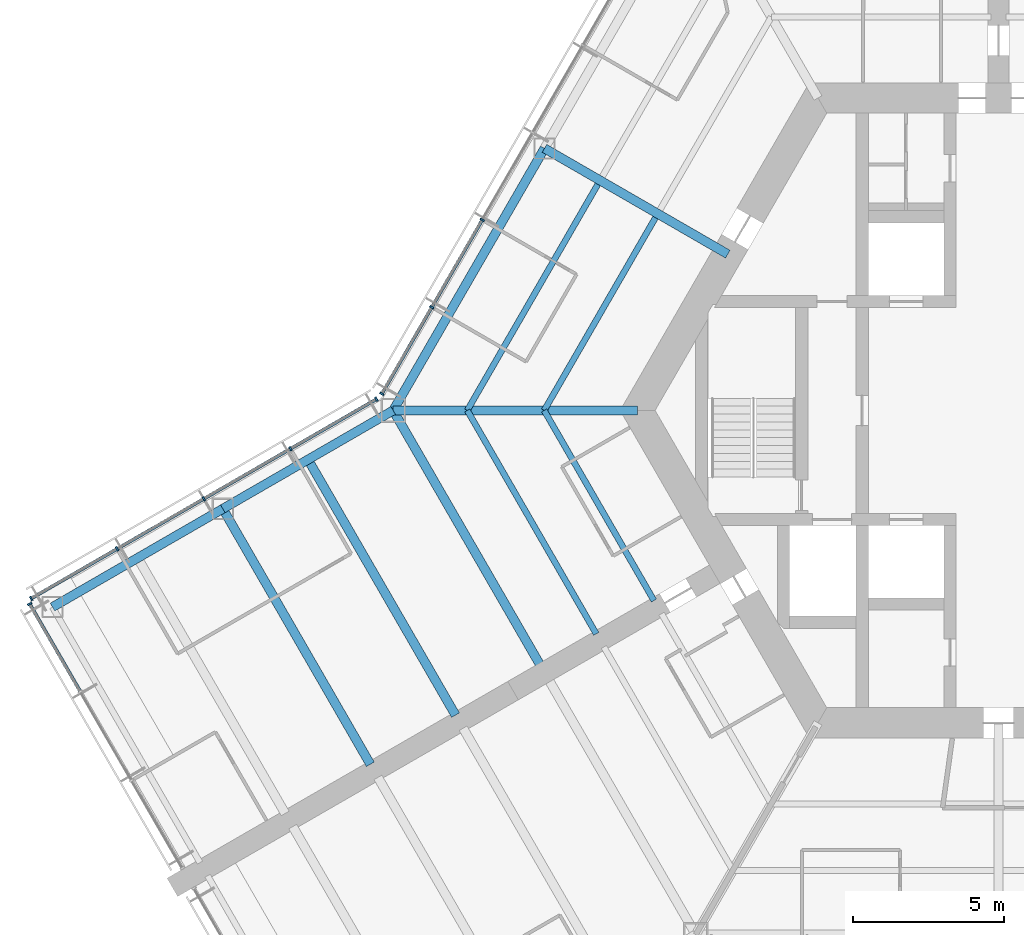
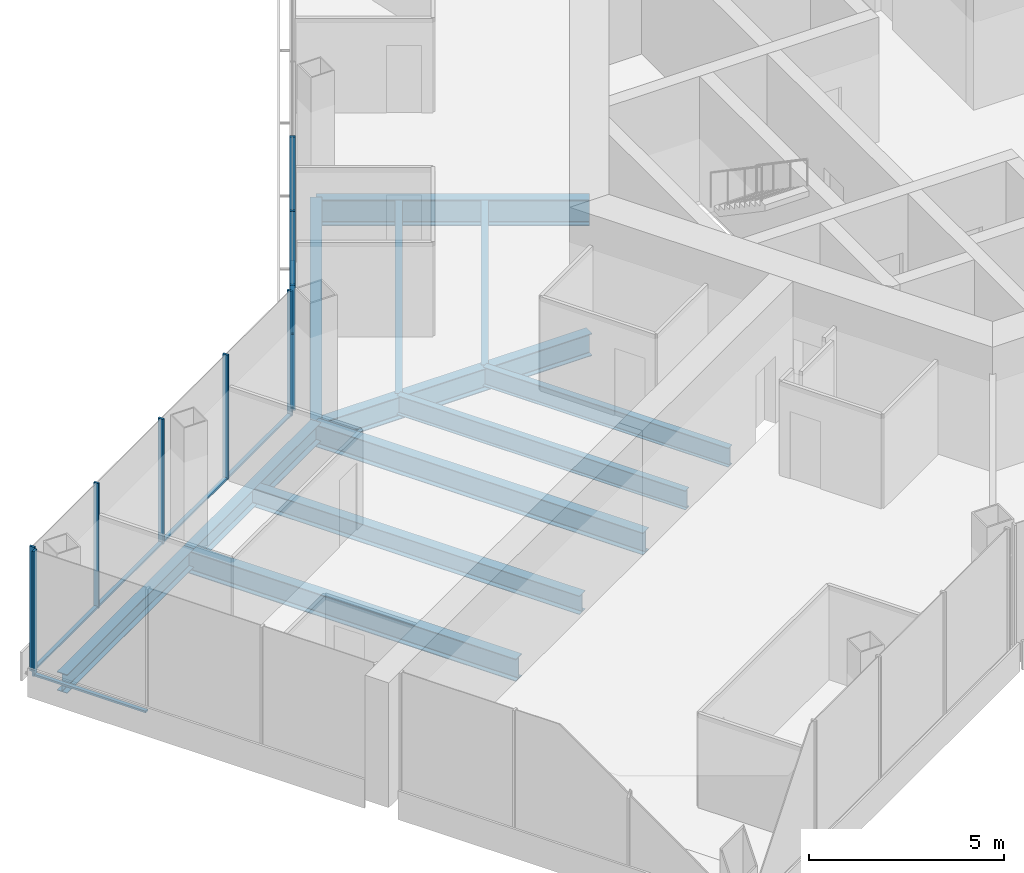
# One storey, part 4 of 18: 16 members, 12 beams, 3 elements without a shape of their own.
"""IFC4 building model written with IfcOpenShell, lengths in metres."""

from ifc_helpers import new_model, si_unit, direction, frame, origin, origin_2d, place, context, subcontext, project, spatial, rectangle, i_section, extrude, material, material_profile, profile_set, type_object, element, aggregate, save


model = new_model("IFC4")

# Units and contexts
model_context = context("Model", 3, precision=1e-05, world=origin(), true_north=direction((0.0, 1.0)))
body_context = subcontext(model_context, "Body", "Model", "MODEL_VIEW")
ifc_project = project(units=[si_unit("LENGTHUNIT", "METRE"), si_unit("AREAUNIT", "SQUARE_METRE"), si_unit("VOLUMEUNIT", "CUBIC_METRE"), si_unit("PLANEANGLEUNIT", "RADIAN"), si_unit("MASSUNIT", "GRAM", prefix="KILO")], contexts=[model_context])

# Site, building, storey
site_placement = place(None, origin())
site = spatial("IfcSite", under=ifc_project, at=site_placement, CompositionType="ELEMENT")
building_placement = place(site_placement, origin())
building = spatial("IfcBuilding", under=site, at=building_placement, Name="Kasaneha Research Tower", CompositionType="ELEMENT")
storey_placement = place(building_placement, frame((0.0, 0.0, 168.199951171875)))
storey = spatial("IfcBuildingStorey", under=building, at=storey_placement, Name="L42", CompositionType="ELEMENT", Elevation=168.199951171875)

# Beams
ifc_material_1 = material(Name="Steel SN490B", Category="steel")
ifc_material_profile_1 = material_profile(ifc_material_1, i_section(OverallWidth=0.199951171875, OverallDepth=0.60009765625, WebThickness=0.010986328125, FlangeThickness=0.01708984375, FilletRadius=0.012939453125, at=origin_2d()), Name="H-600x200x11x17")
ifc_profile_set_1 = profile_set([ifc_material_profile_1], Name="Steel SN490B")
beam_type_1 = type_object("IfcBeamType", Name="B1-3 secondary beam H-600x200x11x17", PredefinedType="JOIST", material=ifc_profile_set_1)
beam_1_placement = place(storey_placement, frame((-15.010986328125, 0.0, -0.449951171875), z_axis=(0.499994443168, 0.866028611999, 0.0), x_axis=(-0.866028611999, 0.499994443168, 0.0)))
element("IfcBeam", 1, at=beam_1_placement, inside=storey, type_object=beam_type_1, Name="Secondary beam RS150R1 L42", PredefinedType="JOIST", context=body_context, shape_type="SweptSolid", body=[
    extrude(i_section(OverallWidth=0.199951171875, OverallDepth=0.60009765625, WebThickness=0.010986328125, FlangeThickness=0.01708984375, FilletRadius=0.012939453125, at=origin_2d()), origin(), (0.0, 0.0, 1.0), 7.35546875),
])
beam_2_placement = place(storey_placement, frame((-17.551513671875, 0.0, -0.449951171875), z_axis=(0.5000050195, 0.866022505755, 0.0), x_axis=(-0.866022505755, 0.5000050195, 0.0)))
element("IfcBeam", 2, at=beam_2_placement, inside=storey, type_object=beam_type_1, Name="Secondary beam RS150R2 L42", PredefinedType="JOIST", context=body_context, shape_type="SweptSolid", body=[
    extrude(i_section(OverallWidth=0.199951171875, OverallDepth=0.60009765625, WebThickness=0.010986328125, FlangeThickness=0.01708984375, FilletRadius=0.012939453125, at=origin_2d()), origin(), (0.0, 0.0, 1.0), 8.6259765625),
])
beam_3_placement = place(storey_placement, frame((-15.010986328125, 0.0, -0.449951171875), z_axis=(0.499993340521, -0.866029248602, 0.0), x_axis=(0.866029248602, 0.499993340521, 0.0)))
element("IfcBeam", 3, at=beam_3_placement, inside=storey, type_object=beam_type_1, Name="Secondary beam RS210L1 L42", PredefinedType="JOIST", context=body_context, shape_type="SweptSolid", body=[
    extrude(i_section(OverallWidth=0.199951171875, OverallDepth=0.60009765625, WebThickness=0.010986328125, FlangeThickness=0.01708984375, FilletRadius=0.012939453125, at=origin_2d()), origin(), (0.0, 0.0, 1.0), 7.25537109375),
])
beam_4_placement = place(storey_placement, frame((-17.551513671875, 0.0, -0.449951171875), z_axis=(0.500004205306, -0.866022975836, 0.0), x_axis=(0.866022975836, 0.500004205306, 0.0)))
element("IfcBeam", 4, at=beam_4_placement, inside=storey, type_object=beam_type_1, Name="Secondary beam RS210L2 L42", PredefinedType="JOIST", context=body_context, shape_type="SweptSolid", body=[
    extrude(i_section(OverallWidth=0.199951171875, OverallDepth=0.60009765625, WebThickness=0.010986328125, FlangeThickness=0.01708984375, FilletRadius=0.012939453125, at=origin_2d()), origin(), (0.0, 0.0, 1.0), 8.52587890625),
])
ifc_material_2 = material(Name="Steel SN490B", Category="steel")
ifc_material_profile_2 = material_profile(ifc_material_2, i_section(OverallWidth=0.300048828125, OverallDepth=0.58203125, WebThickness=0.011962890625, FlangeThickness=0.01708984375, FilletRadius=0.012939453125, at=origin_2d()), Name="H-582x300x12x17")
ifc_profile_set_2 = profile_set([ifc_material_profile_2], Name="Steel SN490B")
beam_type_2 = type_object("IfcBeamType", Name="B2-3 secondary beam H-582x300x12x17", PredefinedType="JOIST", material=ifc_profile_set_2)
beam_5_placement = place(storey_placement, frame((-22.814697265625, -1.625, -0.44091796875), z_axis=(0.499995560238, -0.866027967067, 0.0), x_axis=(0.866027967067, 0.499995560238, 0.0)))
element("IfcBeam", 5, at=beam_5_placement, inside=storey, type_object=beam_type_2, Name="Secondary beam WBBP1 L42", PredefinedType="JOIST", context=body_context, shape_type="SweptSolid", body=[
    extrude(i_section(OverallWidth=0.300048828125, OverallDepth=0.58203125, WebThickness=0.011962890625, FlangeThickness=0.01708984375, FilletRadius=0.012939453125, at=origin_2d()), origin(), (0.0, 0.0, 1.0), 9.75),
])

# Curtain wall, members
ifc_material_3 = material(Name="Glass and aluminium", Category="aluminium")
curtain_wall_type = type_object("IfcCurtainWallType", Name="Mid-rise office curtain wall", PredefinedType="USERDEFINED", material=ifc_material_3)
curtain_wall_1_placement = place(storey_placement, origin())
curtain_wall_1 = element("IfcCurtainWall", 6, at=curtain_wall_1_placement, inside=storey, type_object=curtain_wall_type, Name="CW-O2 L42 run 08a", ObjectType="UNITISED CURTAIN WALL", PredefinedType="USERDEFINED")
ifc_material_4 = material(Name="Aluminium 6063-T6", Category="aluminium")
ifc_material_profile_3 = material_profile(ifc_material_4, rectangle(XDim=0.06005859375, YDim=0.14990234375, at=origin_2d()), Name="CW-O2 mullion 60x150")
ifc_profile_set_3 = profile_set([ifc_material_profile_3], Name="Aluminium 6063-T6")
member_type_1 = type_object("IfcMemberType", Name="CW-O2 mullion", PredefinedType="MULLION", material=ifc_profile_set_3)
member_1_placement = place(storey_placement, frame((-17.058349609375, 6.295166015625, 0.0), z_axis=(0.0, 0.0, 1.0), x_axis=(-0.499999979232, -0.866025415775, 0.0)))
member_1 = element("IfcMember", 7, at=member_1_placement, type_object=member_type_1, Name="CW-O2 mullion 5", PredefinedType="MULLION", context=body_context, shape_type="SweptSolid", body=[
    extrude(rectangle(XDim=0.06005859375, YDim=0.14990234375, at=origin_2d()), origin(), (0.0, 0.0, 1.0), 3.900146484375),
])
member_2_placement = place(storey_placement, frame((-18.723876953125, 3.410400390625, 0.0), z_axis=(0.0, 0.0, 1.0), x_axis=(-0.499999979232, -0.866025415775, 0.0)))
member_2 = element("IfcMember", 8, at=member_2_placement, type_object=member_type_1, Name="CW-O2 mullion 6", PredefinedType="MULLION", context=body_context, shape_type="SweptSolid", body=[
    extrude(rectangle(XDim=0.06005859375, YDim=0.14990234375, at=origin_2d()), origin(), (0.0, 0.0, 1.0), 3.900146484375),
])
member_3_placement = place(storey_placement, frame((-20.374267578125, 0.5517578125, 0.0), z_axis=(0.0, 0.0, 1.0), x_axis=(-0.499999979232, -0.866025415775, 0.0)))
member_3 = element("IfcMember", 9, at=member_3_placement, type_object=member_type_1, Name="CW-O2 mullion 7", PredefinedType="MULLION", context=body_context, shape_type="SweptSolid", body=[
    extrude(rectangle(XDim=0.06005859375, YDim=0.14990234375, at=origin_2d()), origin(), (0.0, 0.0, 1.0), 3.900146484375),
])

curtain_wall_2_placement = place(storey_placement, origin())
curtain_wall_2 = element("IfcCurtainWall", 10, at=curtain_wall_2_placement, inside=storey, type_object=curtain_wall_type, Name="CW-O2 L42 run 09a", ObjectType="UNITISED CURTAIN WALL", PredefinedType="USERDEFINED")
member_4_placement = place(storey_placement, frame((-20.5517578125, 0.374267578125, 0.0), z_axis=(0.0, 0.0, 1.0), x_axis=(-0.866025411464, -0.499999986699, 0.0)))
member_4 = element("IfcMember", 11, at=member_4_placement, type_object=member_type_1, Name="CW-O2 mullion 1", PredefinedType="MULLION", context=body_context, shape_type="SweptSolid", body=[
    extrude(rectangle(XDim=0.06005859375, YDim=0.14990234375, at=origin_2d()), origin(), (0.0, 0.0, 1.0), 3.900146484375),
])
member_5_placement = place(storey_placement, frame((-23.39208984375, -1.265625, 0.0), z_axis=(0.0, 0.0, 1.0), x_axis=(-0.866025411464, -0.499999986699, 0.0)))
member_5 = element("IfcMember", 12, at=member_5_placement, type_object=member_type_1, Name="CW-O2 mullion 2", PredefinedType="MULLION", context=body_context, shape_type="SweptSolid", body=[
    extrude(rectangle(XDim=0.06005859375, YDim=0.14990234375, at=origin_2d()), origin(), (0.0, 0.0, 1.0), 3.900146484375),
])
member_6_placement = place(storey_placement, frame((-26.258544921875, -2.920654296875, 0.0), z_axis=(0.0, 0.0, 1.0), x_axis=(-0.866025411464, -0.499999986699, 0.0)))
member_6 = element("IfcMember", 13, at=member_6_placement, type_object=member_type_1, Name="CW-O2 mullion 3", PredefinedType="MULLION", context=body_context, shape_type="SweptSolid", body=[
    extrude(rectangle(XDim=0.06005859375, YDim=0.14990234375, at=origin_2d()), origin(), (0.0, 0.0, 1.0), 3.900146484375),
])
member_7_placement = place(storey_placement, frame((-29.125, -4.575439453125, 0.0), z_axis=(0.0, 0.0, 1.0), x_axis=(-0.866025411464, -0.499999986699, 0.0)))
member_7 = element("IfcMember", 14, at=member_7_placement, type_object=member_type_1, Name="CW-O2 mullion 4", PredefinedType="MULLION", context=body_context, shape_type="SweptSolid", body=[
    extrude(rectangle(XDim=0.06005859375, YDim=0.14990234375, at=origin_2d()), origin(), (0.0, 0.0, 1.0), 3.900146484375),
])
member_8_placement = place(storey_placement, frame((-31.96533203125, -6.21533203125, 0.0), z_axis=(0.0, 0.0, 1.0), x_axis=(-0.866025411464, -0.499999986699, 0.0)))
member_8 = element("IfcMember", 15, at=member_8_placement, type_object=member_type_1, Name="CW-O2 mullion 5", PredefinedType="MULLION", context=body_context, shape_type="SweptSolid", body=[
    extrude(rectangle(XDim=0.06005859375, YDim=0.14990234375, at=origin_2d()), origin(), (0.0, 0.0, 1.0), 3.900146484375),
])

# Curtain wall, member
curtain_wall_3_placement = place(storey_placement, origin())
curtain_wall_3 = element("IfcCurtainWall", 16, at=curtain_wall_3_placement, inside=storey, type_object=curtain_wall_type, Name="CW-O2 L42 run 10a", ObjectType="UNITISED CURTAIN WALL", PredefinedType="USERDEFINED")
member_9_placement = place(storey_placement, frame((-32.012939453125, -6.39306640625, 0.0), z_axis=(0.0, 0.0, 1.0), x_axis=(0.500000011442, -0.866025397178, 0.0)))
member_9 = element("IfcMember", 17, at=member_9_placement, type_object=member_type_1, Name="CW-O2 mullion 1", PredefinedType="MULLION", context=body_context, shape_type="SweptSolid", body=[
    extrude(rectangle(XDim=0.06005859375, YDim=0.14990234375, at=origin_2d()), origin(), (0.0, 0.0, 1.0), 3.900146484375),
])

# Member
ifc_material_5 = material(Name="Aluminium 6063-T6", Category="aluminium")
ifc_material_profile_4 = material_profile(ifc_material_5, rectangle(XDim=0.110107421875, YDim=0.06005859375, at=origin_2d()), Name="CW-O2 transom 110x60")
ifc_profile_set_4 = profile_set([ifc_material_profile_4], Name="Aluminium 6063-T6")
member_type_2 = type_object("IfcMemberType", Name="CW-O2 transom", PredefinedType="USERDEFINED", material=ifc_profile_set_4)
member_10_placement = place(storey_placement, frame((-17.0732421875, 6.269287109375, 0.030029296875), z_axis=(-0.500000270186, -0.866025247793, 0.0), x_axis=(0.866025247793, -0.500000270186, 0.0)))
member_10 = element("IfcMember", 18, at=member_10_placement, type_object=member_type_2, Name="CW-O2 transom 5", ObjectType="TRANSOM", PredefinedType="USERDEFINED", context=body_context, shape_type="SweptSolid", body=[
    extrude(rectangle(XDim=0.110107421875, YDim=0.06005859375, at=origin_2d()), origin(), (0.0, 0.0, 1.0), 3.27099609375),
])

member_11_placement = place(storey_placement, frame((-18.73876953125, 3.384521484375, 0.030029296875), z_axis=(-0.499987643696, -0.866032537582, 0.0), x_axis=(0.866032537582, -0.499987643696, 0.0)))
member_11 = element("IfcMember", 19, at=member_11_placement, type_object=member_type_2, Name="CW-O2 transom 6", ObjectType="TRANSOM", PredefinedType="USERDEFINED", context=body_context, shape_type="SweptSolid", body=[
    extrude(rectangle(XDim=0.110107421875, YDim=0.06005859375, at=origin_2d()), origin(), (0.0, 0.0, 1.0), 3.24072265625),
])

aggregate(curtain_wall_1, [member_1, member_2, member_3, member_10, member_11])

member_12_placement = place(storey_placement, frame((-20.577880859375, 0.359130859375, 0.030029296875), z_axis=(-0.866022692473, -0.500004696101, 0.0), x_axis=(0.500004696101, -0.866022692473, 0.0)))
member_12 = element("IfcMember", 20, at=member_12_placement, type_object=member_type_2, Name="CW-O2 transom 1", ObjectType="TRANSOM", PredefinedType="USERDEFINED", context=body_context, shape_type="SweptSolid", body=[
    extrude(rectangle(XDim=0.110107421875, YDim=0.06005859375, at=origin_2d()), origin(), (0.0, 0.0, 1.0), 3.2197265625),
])

member_13_placement = place(storey_placement, frame((-23.418212890625, -1.28076171875, 0.030029296875), z_axis=(-0.86604797581, -0.499960902066, 0.0), x_axis=(0.499960902066, -0.86604797581, 0.0)))
member_13 = element("IfcMember", 21, at=member_13_placement, type_object=member_type_2, Name="CW-O2 transom 2", ObjectType="TRANSOM", PredefinedType="USERDEFINED", context=body_context, shape_type="SweptSolid", body=[
    extrude(rectangle(XDim=0.110107421875, YDim=0.06005859375, at=origin_2d()), origin(), (0.0, 0.0, 1.0), 3.249755859375),
])

member_14_placement = place(storey_placement, frame((-26.28466796875, -2.935546875, 0.030029296875), z_axis=(-0.86599666273, -0.500049777664, 0.0), x_axis=(0.500049777664, -0.86599666273, 0.0)))
member_14 = element("IfcMember", 22, at=member_14_placement, type_object=member_type_2, Name="CW-O2 transom 3", ObjectType="TRANSOM", PredefinedType="USERDEFINED", context=body_context, shape_type="SweptSolid", body=[
    extrude(rectangle(XDim=0.110107421875, YDim=0.06005859375, at=origin_2d()), origin(), (0.0, 0.0, 1.0), 3.249755859375),
])

member_15_placement = place(storey_placement, frame((-29.15087890625, -4.590576171875, 0.030029296875), z_axis=(-0.866041647767, -0.499971863542, 0.0), x_axis=(0.499971863542, -0.866041647767, 0.0)))
member_15 = element("IfcMember", 23, at=member_15_placement, type_object=member_type_2, Name="CW-O2 transom 4", ObjectType="TRANSOM", PredefinedType="USERDEFINED", context=body_context, shape_type="SweptSolid", body=[
    extrude(rectangle(XDim=0.110107421875, YDim=0.06005859375, at=origin_2d()), origin(), (0.0, 0.0, 1.0), 3.219970703125),
])

aggregate(curtain_wall_2, [member_4, member_5, member_6, member_7, member_8, member_12, member_13, member_14, member_15])

member_16_placement = place(storey_placement, frame((-31.998046875, -6.4189453125, 0.030029296875), z_axis=(0.500021914551, -0.866012751043, 0.0), x_axis=(0.866012751043, 0.500021914551, 0.0)))
member_16 = element("IfcMember", 24, at=member_16_placement, type_object=member_type_2, Name="CW-O2 transom 1", ObjectType="TRANSOM", PredefinedType="USERDEFINED", context=body_context, shape_type="SweptSolid", body=[
    extrude(rectangle(XDim=0.110107421875, YDim=0.06005859375, at=origin_2d()), origin(), (0.0, 0.0, 1.0), 3.293212890625),
])

aggregate(curtain_wall_3, [member_9, member_16])

# Beams
ifc_material_6 = material(Name="Steel SN490B", Category="steel")
ifc_material_profile_5 = material_profile(ifc_material_6, i_section(OverallWidth=0.300048828125, OverallDepth=0.699951171875, WebThickness=0.012939453125, FlangeThickness=0.02392578125, FilletRadius=0.01806640625, at=origin_2d()), Name="H-700x300x13x24")
ifc_profile_set_5 = profile_set([ifc_material_profile_5], Name="Steel SN490B")
beam_type_3 = type_object("IfcBeamType", Name="G1-3 radial girder H-700x300x13x24", PredefinedType="BEAM", material=ifc_profile_set_5)
beam_6_placement = place(storey_placement, frame((-11.92236328125, 0.0, -0.5), z_axis=(-1.0, 0.0, 0.0), x_axis=(0.0, -1.0, 0.0)))
element("IfcBeam", 25, at=beam_6_placement, inside=storey, type_object=beam_type_3, Name="Radial girder RV180 L42", PredefinedType="BEAM", context=body_context, shape_type="SweptSolid", body=[
    extrude(i_section(OverallWidth=0.300048828125, OverallDepth=0.699951171875, WebThickness=0.012939453125, FlangeThickness=0.02392578125, FilletRadius=0.01806640625, at=origin_2d()), origin(), (0.0, 0.0, 1.0), 8.07763671875),
])
ifc_material_7 = material(Name="Steel SN490B", Category="steel")
ifc_material_profile_6 = material_profile(ifc_material_7, i_section(OverallWidth=0.300048828125, OverallDepth=0.800048828125, WebThickness=0.013916015625, FlangeThickness=0.02587890625, FilletRadius=0.01806640625, at=origin_2d()), Name="H-800x300x14x26")
ifc_profile_set_6 = profile_set([ifc_material_profile_6], Name="Steel SN490B")
beam_type_4 = type_object("IfcBeamType", Name="G2-3 radial girder H-800x300x14x26", PredefinedType="BEAM", material=ifc_profile_set_6)
beam_7_placement = place(storey_placement, frame((-8.941650390625, 5.16259765625, -0.550048828125), z_axis=(-0.866039713508, 0.499975214012, 0.0), x_axis=(-0.499975214012, -0.866039713508, 0.0)))
element("IfcBeam", 26, at=beam_7_placement, inside=storey, type_object=beam_type_4, Name="Radial girder RM150 L42", PredefinedType="BEAM", context=body_context, shape_type="SweptSolid", body=[
    extrude(i_section(OverallWidth=0.300048828125, OverallDepth=0.800048828125, WebThickness=0.013916015625, FlangeThickness=0.02587890625, FilletRadius=0.01806640625, at=origin_2d()), origin(), (0.0, 0.0, 1.0), 6.995361328125),
])
ifc_material_8 = material(Name="Steel SN490B", Category="steel")
ifc_material_profile_7 = material_profile(ifc_material_8, i_section(OverallWidth=0.300048828125, OverallDepth=0.69189453125, WebThickness=0.012939453125, FlangeThickness=0.02001953125, FilletRadius=0.01806640625, at=origin_2d()), Name="H-692x300x13x20")
ifc_profile_set_7 = profile_set([ifc_material_profile_7], Name="Steel SN490B")
beam_type_5 = type_object("IfcBeamType", Name="G3-3 plate edge girder H-692x300x13x20", PredefinedType="BEAM", material=ifc_profile_set_7)
beam_8_placement = place(storey_placement, frame((-20.0, 0.0, -0.495849609375), z_axis=(0.499995560238, -0.866027967067, 0.0), x_axis=(0.866027967067, 0.499995560238, 0.0)))
element("IfcBeam", 27, at=beam_8_placement, inside=storey, type_object=beam_type_5, Name="Plate edge girder PEBP L42", PredefinedType="BEAM", context=body_context, shape_type="SweptSolid", body=[
    extrude(i_section(OverallWidth=0.300048828125, OverallDepth=0.69189453125, WebThickness=0.012939453125, FlangeThickness=0.02001953125, FilletRadius=0.01806640625, at=origin_2d()), origin(), (0.0, 0.0, 1.0), 9.75),
])
ifc_material_9 = material(Name="Steel SN490B", Category="steel")
ifc_material_profile_8 = material_profile(ifc_material_9, i_section(OverallWidth=0.300048828125, OverallDepth=0.699951171875, WebThickness=0.012939453125, FlangeThickness=0.02392578125, FilletRadius=0.01806640625, at=origin_2d()), Name="H-700x300x13x24")
ifc_profile_set_8 = profile_set([ifc_material_profile_8], Name="Steel SN490B")
beam_type_6 = type_object("IfcBeamType", Name="G4-3 wing girder H-700x300x13x24", PredefinedType="BEAM", material=ifc_profile_set_8)
beam_9_placement = place(storey_placement, frame((-25.629150390625, -3.25, -0.5), z_axis=(0.499995560238, -0.866027967067, 0.0), x_axis=(0.866027967067, 0.499995560238, 0.0)))
element("IfcBeam", 28, at=beam_9_placement, inside=storey, type_object=beam_type_6, Name="Wing girder WGBP L42", PredefinedType="BEAM", context=body_context, shape_type="SweptSolid", body=[
    extrude(i_section(OverallWidth=0.300048828125, OverallDepth=0.699951171875, WebThickness=0.012939453125, FlangeThickness=0.02392578125, FilletRadius=0.01806640625, at=origin_2d()), origin(), (0.0, 0.0, 1.0), 9.75),
])
ifc_material_10 = material(Name="Steel SN490B", Category="steel")
ifc_material_profile_9 = material_profile(ifc_material_10, i_section(OverallWidth=0.300048828125, OverallDepth=0.69189453125, WebThickness=0.012939453125, FlangeThickness=0.02001953125, FilletRadius=0.01806640625, at=origin_2d()), Name="H-692x300x13x20")
ifc_profile_set_9 = profile_set([ifc_material_profile_9], Name="Steel SN490B")
beam_type_7 = type_object("IfcBeamType", Name="SB1-3 spandrel beam H-692x300x13x20", PredefinedType="SPANDREL", material=ifc_profile_set_9)
beam_10_placement = place(storey_placement, frame((-20.0, 0.0, -0.495849609375), z_axis=(0.500004234368, 0.866022959057, 0.0), x_axis=(-0.866022959057, 0.500004234368, 0.0)))
element("IfcBeam", 29, at=beam_10_placement, inside=storey, type_object=beam_type_7, Name="Spandrel beam SR150R L42", PredefinedType="SPANDREL", context=body_context, shape_type="SweptSolid", body=[
    extrude(i_section(OverallWidth=0.300048828125, OverallDepth=0.69189453125, WebThickness=0.012939453125, FlangeThickness=0.02001953125, FilletRadius=0.01806640625, at=origin_2d()), origin(), (0.0, 0.0, 1.0), 10.0),
])
ifc_material_11 = material(Name="Steel SN490B", Category="steel")
ifc_material_profile_10 = material_profile(ifc_material_11, i_section(OverallWidth=0.300048828125, OverallDepth=0.58203125, WebThickness=0.011962890625, FlangeThickness=0.01708984375, FilletRadius=0.012939453125, at=origin_2d()), Name="H-582x300x12x17")
ifc_profile_set_10 = profile_set([ifc_material_profile_10], Name="Steel SN490B")
beam_type_8 = type_object("IfcBeamType", Name="SB2-3 spandrel beam H-582x300x12x17", PredefinedType="SPANDREL", material=ifc_profile_set_10)
for number, where, z_axis, x_axis, name in (
    (30, (-20.0, 0.0, -0.44091796875), (-0.866024837091, -0.50000098154, 0.0), (0.50000098154, -0.866024837091, 0.0), "Spandrel beam WSBP1 L42"),
    (31, (-25.629150390625, -3.25, -0.44091796875), (-0.866024837091, -0.50000098154, 0.0), (0.50000098154, -0.866024837091, 0.0), "Spandrel beam WSBP2 L42"),
):
    element("IfcBeam", number, at=place(storey_placement, frame(where, z_axis=z_axis, x_axis=x_axis)), inside=storey, type_object=beam_type_8, Name=name, PredefinedType="SPANDREL", context=body_context, shape_type="SweptSolid", body=[
        extrude(i_section(OverallWidth=0.300048828125, OverallDepth=0.58203125, WebThickness=0.011962890625, FlangeThickness=0.01708984375, FilletRadius=0.012939453125, at=origin_2d()), origin(), (0.0, 0.0, 1.0), 6.5),
    ])

save(model, "model.ifc")
